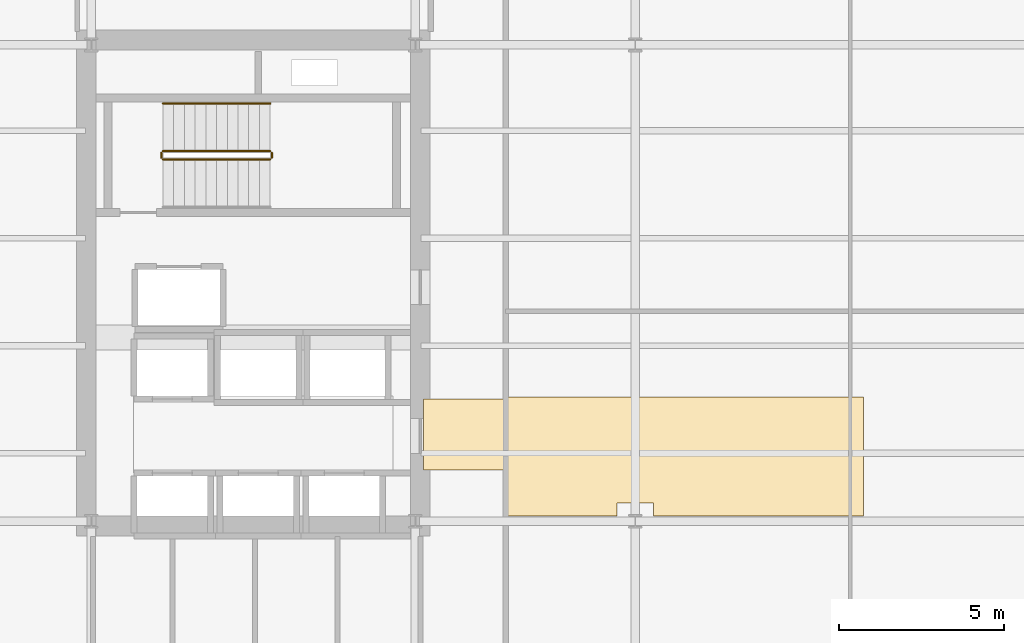
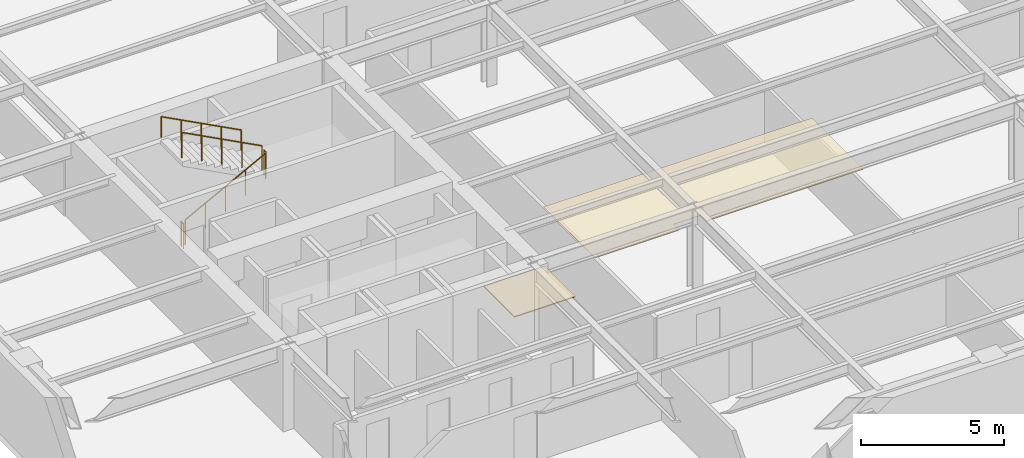
# One storey, part 9 of 11: 5 railings, 2 coverings.
"""IFC4 building model written with IfcOpenShell, lengths in metres."""

from ifc_helpers import new_model, si_unit, direction, frame, origin, origin_2d, place, context, subcontext, project, spatial, polyline, circle, outline, extrude, material, layer, layer_set, type_object, element, save


model = new_model("IFC4")

# Units and contexts
model_context = context("Model", 3, precision=1e-05, world=origin(), true_north=direction((0.0, 1.0)))
body_context = subcontext(model_context, "Body", "Model", "MODEL_VIEW")
ifc_project = project(units=[si_unit("LENGTHUNIT", "METRE"), si_unit("AREAUNIT", "SQUARE_METRE"), si_unit("VOLUMEUNIT", "CUBIC_METRE"), si_unit("PLANEANGLEUNIT", "RADIAN"), si_unit("MASSUNIT", "GRAM", prefix="KILO")], contexts=[model_context])

# Site, building, storey
site_placement = place(None, origin())
site = spatial("IfcSite", under=ifc_project, at=site_placement, CompositionType="ELEMENT")
building_placement = place(site_placement, origin())
building = spatial("IfcBuilding", under=site, at=building_placement, Name="Kolvaren Arena Tower", CompositionType="ELEMENT")
storey_placement = place(building_placement, frame((0.0, 0.0, 203.449951171875)))
storey = spatial("IfcBuildingStorey", under=building, at=storey_placement, Name="L49", CompositionType="ELEMENT", Elevation=203.449951171875)

# Coverings
ifc_material_1 = material(Name="Mineral fibre acoustic ceiling tile", Category="gypsum")
ifc_layer_1 = layer(ifc_material_1, 0.02490234375)
ifc_layer_set_1 = layer_set([ifc_layer_1], Name="Mineral fibre acoustic ceiling tile")
covering_type_1 = type_object("IfcCoveringType", Name="CEIL-ACT-1", PredefinedType="CEILING", material=ifc_layer_set_1)
covering_1_placement = place(storey_placement, frame((0.0, 0.0, 2.52001953125)))
element("IfcCovering", 1, at=covering_1_placement, inside=storey, type_object=covering_type_1, Name="Suspended Ceiling (L49)", PredefinedType="CEILING", context=body_context, shape_type="SweptSolid", body=[
    extrude(outline(polyline([(27.050048828125, 19.60009765625), (27.050048828125, 23.199951171875), (37.89990234375, 23.199951171875), (37.89990234375, 19.60009765625), (31.550048828125, 19.60009765625), (31.550048828125, 20.0), (30.449951171875, 20.0), (30.449951171875, 19.60009765625), (27.050048828125, 19.60009765625)])), origin(), (0.0, 0.0, 1.0), 0.025146484375),
])
ifc_material_2 = material(Name="Raised access office floor finish", Category="aluminium")
ifc_layer_2 = layer(ifc_material_2, 0.044921875)
ifc_layer_set_2 = layer_set([ifc_layer_2], Name="Raised access office floor finish")
covering_type_2 = type_object("IfcCoveringType", Name="FLOR-RAF-1", PredefinedType="FLOORING", material=ifc_layer_set_2)
covering_2_placement = place(storey_placement, origin())
element("IfcCovering", 2, at=covering_2_placement, inside=storey, type_object=covering_type_2, Name="Floor Finish (L49)", PredefinedType="FLOORING", context=body_context, shape_type="SweptSolid", body=[
    extrude(outline(polyline([(24.60009765625, 21.0), (24.60009765625, 23.14990234375), (27.080078125, 23.14990234375), (27.080078125, 21.0), (24.60009765625, 21.0)])), origin(), (0.0, 0.0, 1.0), 0.045166015625),
])

# Railings
ifc_material_3 = material(Name="Painted galvanized steel", Category="steel")
railing_type_1 = type_object("IfcRailingType", Name="GUARD-ST-110", PredefinedType="GUARDRAIL", material=ifc_material_3)
railing_1_placement = place(storey_placement, frame((16.719970703125, 30.389892578125, 0.17041015625)))
element("IfcRailing", 3, at=railing_1_placement, inside=storey, type_object=railing_type_1, Name="L49 ST-W1 stair guard 1", PredefinedType="GUARDRAIL", context=body_context, shape_type="SweptSolid", body=[
    extrude(circle(Radius=0.02392578125, at=origin_2d()), frame((0.0, 0.0, 1.076171875), z_axis=(0.884993431791, 0.0, 0.465603506952), x_axis=(0.0, 1.0, 0.0)), (0.0, 0.0, 1.0), 3.6611328125),
    extrude(circle(Radius=0.02099609375, at=origin_2d()), origin(), (0.0, 0.0, 1.0), 1.052001953125),
    extrude(circle(Radius=0.02099609375, at=origin_2d()), frame((0.81005859375, 0.0, 0.42626953125)), (0.0, 0.0, 1.0), 1.052001953125),
    extrude(circle(Radius=0.02099609375, at=origin_2d()), frame((1.6201171875, 0.0, 0.852294921875)), (0.0, 0.0, 1.0), 1.052001953125),
    extrude(circle(Radius=0.02099609375, at=origin_2d()), frame((2.429931640625, 0.0, 1.2783203125)), (0.0, 0.0, 1.0), 1.052001953125),
    extrude(circle(Radius=0.02099609375, at=origin_2d()), frame((3.239990234375, 0.0, 1.70458984375)), (0.0, 0.0, 1.0), 1.052001953125),
])
railing_2_placement = place(storey_placement, frame((20.010009765625, 30.43994140625, 1.875)))
element("IfcRailing", 4, at=railing_2_placement, inside=storey, type_object=railing_type_1, Name="L49 ST-W1 stair guard 2", PredefinedType="GUARDRAIL", context=body_context, shape_type="SweptSolid", body=[
    extrude(circle(Radius=0.02392578125, at=origin_2d()), frame((0.0, 0.0, 1.076171875), z_axis=(0.0, 1.0, 0.0), x_axis=(-1.0, 0.0, 0.0)), (0.0, 0.0, 1.0), 0.150146484375),
    extrude(circle(Radius=0.02099609375, at=origin_2d()), origin(), (0.0, 0.0, 1.0), 1.052001953125),
    extrude(circle(Radius=0.02099609375, at=origin_2d()), frame((0.0, 0.150146484375, 0.0)), (0.0, 0.0, 1.0), 1.052001953125),
])
railing_3_placement = place(storey_placement, frame((19.9599609375, 30.639892578125, 2.04541015625)))
element("IfcRailing", 5, at=railing_3_placement, inside=storey, type_object=railing_type_1, Name="L49 ST-W1 stair guard 3", PredefinedType="GUARDRAIL", context=body_context, shape_type="SweptSolid", body=[
    extrude(circle(Radius=0.02392578125, at=origin_2d()), frame((0.0, 0.0, 1.076171875), z_axis=(-0.884993431791, 0.0, 0.465603506952), x_axis=(0.0, -1.0, 0.0)), (0.0, 0.0, 1.0), 3.6611328125),
    extrude(circle(Radius=0.02099609375, at=origin_2d()), origin(), (0.0, 0.0, 1.0), 1.052001953125),
    extrude(circle(Radius=0.02099609375, at=origin_2d()), frame((-0.81005859375, 0.0, 0.42626953125)), (0.0, 0.0, 1.0), 1.052001953125),
    extrude(circle(Radius=0.02099609375, at=origin_2d()), frame((-1.6201171875, 0.0, 0.852294921875)), (0.0, 0.0, 1.0), 1.052001953125),
    extrude(circle(Radius=0.02099609375, at=origin_2d()), frame((-2.429931640625, 0.0, 1.2783203125)), (0.0, 0.0, 1.0), 1.052001953125),
    extrude(circle(Radius=0.02099609375, at=origin_2d()), frame((-3.239990234375, 0.0, 1.70458984375)), (0.0, 0.0, 1.0), 1.052001953125),
])
railing_4_placement = place(storey_placement, frame((16.669921875, 30.43994140625, 0.0)))
element("IfcRailing", 6, at=railing_4_placement, inside=storey, type_object=railing_type_1, Name="L49 ST-W1 stair guard 4", PredefinedType="GUARDRAIL", context=body_context, shape_type="SweptSolid", body=[
    extrude(circle(Radius=0.02392578125, at=origin_2d()), frame((0.0, 0.0, 1.076171875), z_axis=(0.0, 1.0, 0.0), x_axis=(-1.0, 0.0, 0.0)), (0.0, 0.0, 1.0), 0.150146484375),
    extrude(circle(Radius=0.02099609375, at=origin_2d()), origin(), (0.0, 0.0, 1.0), 1.052001953125),
    extrude(circle(Radius=0.02099609375, at=origin_2d()), frame((0.0, 0.150146484375, 0.0)), (0.0, 0.0, 1.0), 1.052001953125),
])
ifc_material_4 = material(Name="Brushed stainless steel handrail", Category="steel")
railing_type_2 = type_object("IfcRailingType", Name="HRAIL-900", PredefinedType="HANDRAIL", material=ifc_material_4)
railing_5_placement = place(storey_placement, frame((19.9599609375, 32.080078125, 2.04541015625)))
element("IfcRailing", 7, at=railing_5_placement, inside=storey, type_object=railing_type_2, Name="L49 ST-W1 stair handrail 2", PredefinedType="HANDRAIL", context=body_context, shape_type="SweptSolid", body=[
    extrude(circle(Radius=0.02392578125, at=origin_2d()), frame((0.0, 0.0, 0.8759765625), z_axis=(-0.884993431791, 0.0, 0.465603506952), x_axis=(0.0, -1.0, 0.0)), (0.0, 0.0, 1.0), 3.6611328125),
    extrude(circle(Radius=0.02099609375, at=origin_2d()), origin(), (0.0, 0.0, 1.0), 0.851806640625),
    extrude(circle(Radius=0.02099609375, at=origin_2d()), frame((-0.81005859375, 0.0, 0.42626953125)), (0.0, 0.0, 1.0), 0.851806640625),
    extrude(circle(Radius=0.02099609375, at=origin_2d()), frame((-1.6201171875, 0.0, 0.852294921875)), (0.0, 0.0, 1.0), 0.851806640625),
    extrude(circle(Radius=0.02099609375, at=origin_2d()), frame((-2.429931640625, 0.0, 1.2783203125)), (0.0, 0.0, 1.0), 0.851806640625),
    extrude(circle(Radius=0.02099609375, at=origin_2d()), frame((-3.239990234375, 0.0, 1.70458984375)), (0.0, 0.0, 1.0), 0.851806640625),
])

save(model, "model.ifc")
